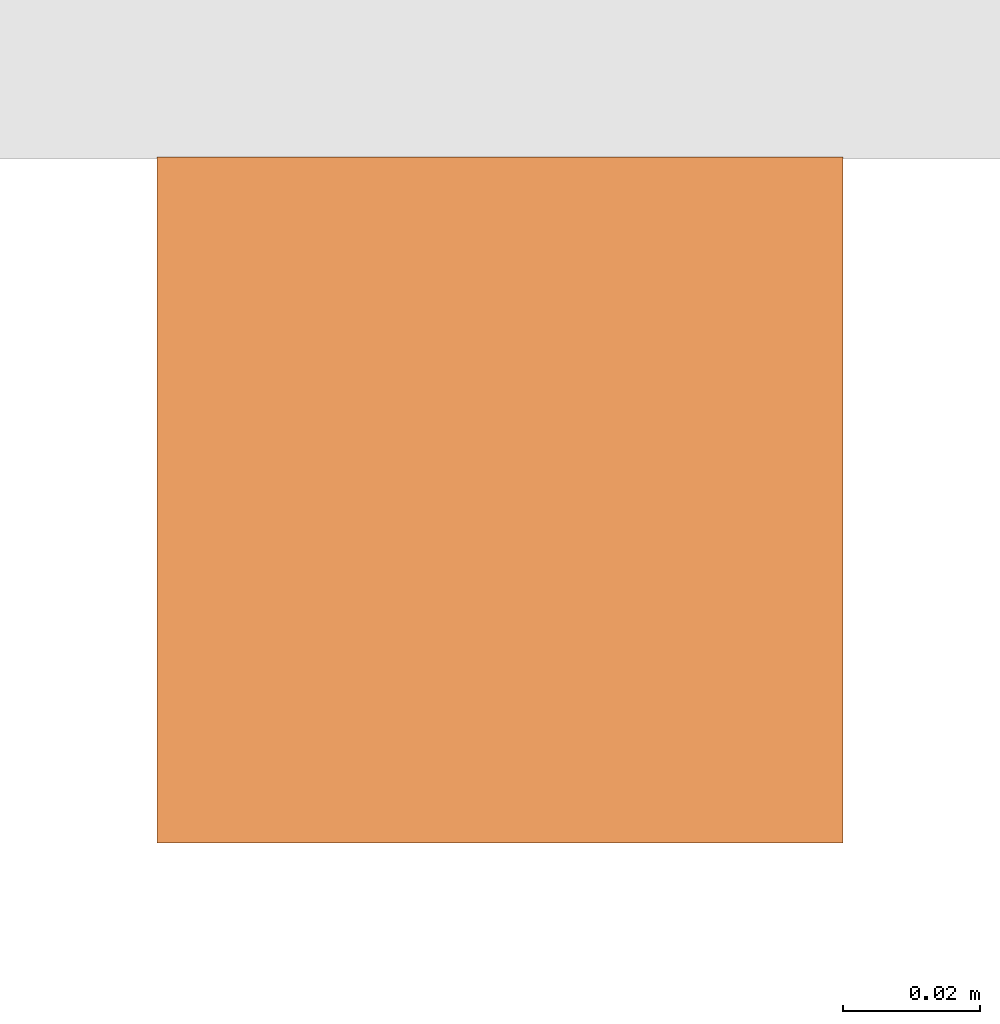
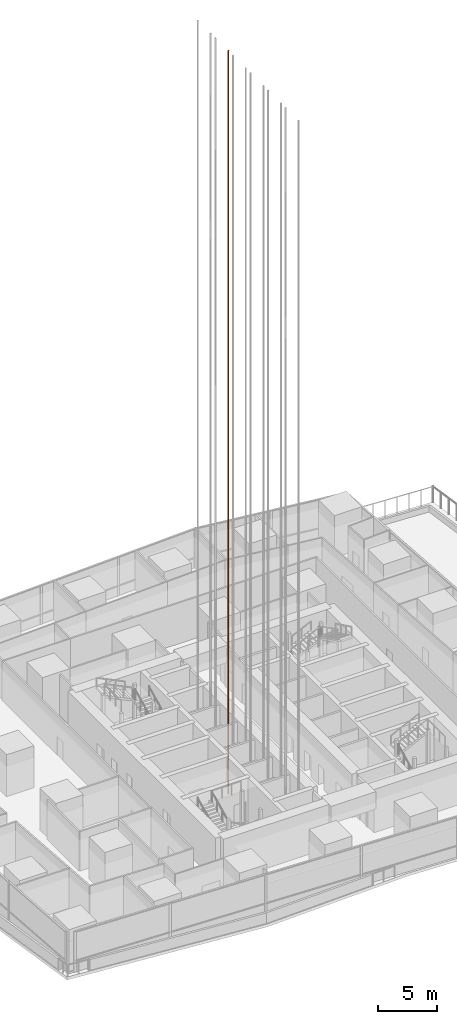
# One storey, part 36 of 39: 1 proxy.
"""IFC4 building model written with IfcOpenShell, lengths in metres."""

from ifc_helpers import new_model, si_unit, direction, frame, origin, origin_2d, place, context, subcontext, project, spatial, rectangle, extrude, material, type_object, element, save


model = new_model("IFC4")

# Units and contexts
model_context = context("Model", 3, precision=1e-05, world=origin(), true_north=direction((0.0, 1.0)))
body_context = subcontext(model_context, "Body", "Model", "MODEL_VIEW")
ifc_project = project(units=[si_unit("LENGTHUNIT", "METRE"), si_unit("AREAUNIT", "SQUARE_METRE"), si_unit("VOLUMEUNIT", "CUBIC_METRE"), si_unit("PLANEANGLEUNIT", "RADIAN"), si_unit("MASSUNIT", "GRAM", prefix="KILO")], contexts=[model_context])

# Site, building, storey
site_placement = place(None, origin())
site = spatial("IfcSite", under=ifc_project, at=site_placement, CompositionType="ELEMENT")
building_placement = place(site_placement, origin())
building = spatial("IfcBuilding", under=site, at=building_placement, Name="Rekha Terrace Tower", CompositionType="ELEMENT")
storey_placement = place(building_placement, frame((0.0, 0.0, 168.199951171875)))
storey = spatial("IfcBuildingStorey", under=building, at=storey_placement, Name="L42", CompositionType="ELEMENT", Elevation=168.199951171875)

# Proxy
ifc_material = material(Name="Steel guide rail", Category="steel")
building_element_proxy_type = type_object("IfcBuildingElementProxyType", Name="LR1 100 lift guide rail", PredefinedType="ELEMENT", material=ifc_material)
proxy_placement = place(storey_placement, frame((34.5, 35.800048828125, -3.2998046875), z_axis=(0.0, 0.0, 1.0), x_axis=(1.0, 0.0, 0.0)))
element("IfcBuildingElementProxy", 1, at=proxy_placement, inside=storey, type_object=building_element_proxy_type, Name="Lift C5 guide rail 1", PredefinedType="ELEMENT", context=body_context, shape_type="SweptSolid", body=[
    extrude(rectangle(XDim=0.10009765625, YDim=0.10009765625, at=origin_2d()), origin(), (0.0, 0.0, 1.0), 77.39990234375),
])

save(model, "model.ifc")
